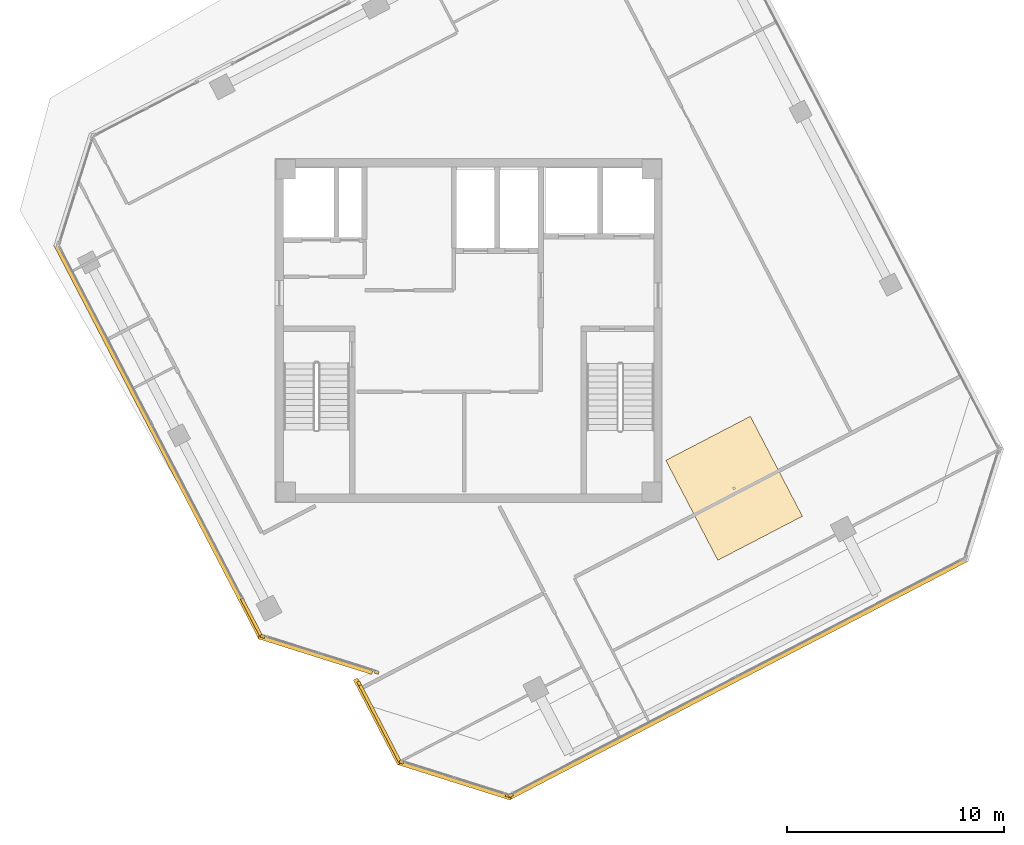
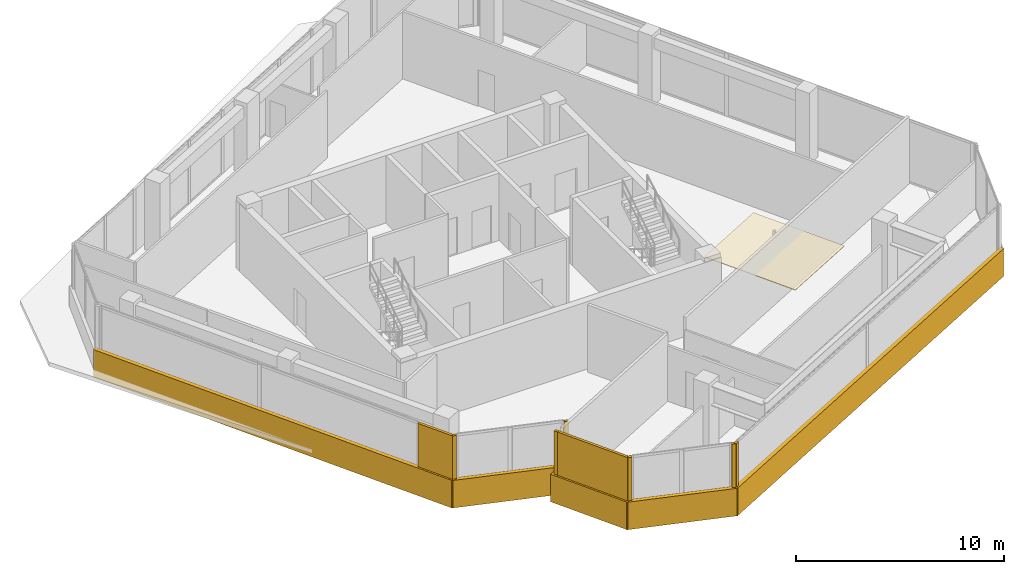
# One storey, part 14 of 16: 14 coverings.
"""IFC4 building model written with IfcOpenShell, lengths in metres."""

from ifc_helpers import new_model, si_unit, direction, frame, origin, origin_2d, place, context, subcontext, project, spatial, polyline, rectangle, outline, extrude, source, transform, mapped, material, layer, layer_set, type_object, element, save


model = new_model("IFC4")

# Units and contexts
model_context = context("Model", 3, precision=1e-05, world=origin(), true_north=direction((0.0, 1.0)))
body_context = subcontext(model_context, "Body", "Model", "MODEL_VIEW")
ifc_project = project(units=[si_unit("LENGTHUNIT", "METRE"), si_unit("AREAUNIT", "SQUARE_METRE"), si_unit("VOLUMEUNIT", "CUBIC_METRE"), si_unit("PLANEANGLEUNIT", "RADIAN"), si_unit("MASSUNIT", "GRAM", prefix="KILO")], contexts=[model_context])

# Site, building, storey
site_placement = place(None, origin())
site = spatial("IfcSite", under=ifc_project, at=site_placement, CompositionType="ELEMENT")
building_placement = place(site_placement, origin())
building = spatial("IfcBuilding", under=site, at=building_placement, Name="Torre Montelarca", CompositionType="ELEMENT")
storey_placement = place(building_placement, frame((0.0, 0.0, 328.199951171875)))
storey = spatial("IfcBuildingStorey", under=building, at=storey_placement, Name="L74", CompositionType="ELEMENT", Elevation=328.199951171875)

# Coverings
ifc_material_1 = material(Name="Perforated acoustic mineral fibre board", Category="gypsum")
ifc_layer_1 = layer(ifc_material_1, 0.0400390625, Name="Perforated acoustic mineral fibre board", Category="gypsum")
ifc_layer_set_1 = layer_set([ifc_layer_1], Name="Perforated acoustic mineral fibre board")
covering_type_1 = type_object("IfcCoveringType", Name="COV-CEIL-AC1", PredefinedType="CEILING", material=ifc_layer_set_1)
covering_1_placement = place(storey_placement, frame((0.0, 0.0, 2.719970703125)))
element("IfcCovering", 1, at=covering_1_placement, inside=storey, type_object=covering_type_1, Name="L74 Acoustic Suspended Ceiling 01", PredefinedType="CEILING", context=body_context, shape_type="SweptSolid", body=[
    extrude(outline(polyline([(27.09912109375, 26.008544921875), (29.500244140625, 21.39599609375), (33.4033203125, 23.427734375), (31.002197265625, 28.040283203125), (27.09912109375, 26.008544921875)])), origin(), (0.0, 0.0, 1.0), 0.0400390625),
])
ifc_material_2 = material(Name="Bush-hammered warm white precast concrete C45/55", Category="concrete")
ifc_layer_2 = layer(ifc_material_2, 0.139892578125, Name="Bush-hammered warm white precast concrete C45/55", Category="concrete")
ifc_layer_set_2 = layer_set([ifc_layer_2], Name="Bush-hammered warm white precast concrete C45/55")
covering_type_2 = type_object("IfcCoveringType", Name="COV-TRAY-CLAD", PredefinedType="CLADDING", material=ifc_layer_set_2)
shared_shape_1 = source(origin(), body_context, "Body", "SweptSolid", [
    extrude(rectangle(XDim=0.199951171875, YDim=0.139892578125, at=origin_2d()), origin(), (0.0, 0.0, 1.0), 3.719970703125),
])
for number, where, z_axis, x_axis, name in (
    (2, (8.495361328125, 17.881591796875, 0.0), (0.0, 0.0, 1.0), (0.953717475577, -0.300704134954, 0.0), "L74 Architectural Column Pier Cladding E02-1"),
    (3, (13.75048828125, 16.224609375, 0.0), (0.0, 0.0, 1.0), (0.953717475577, -0.300704134954, 0.0), "L74 Architectural Column Pier Cladding E02-2"),
    (4, (12.94189453125, 15.716552734375, 0.0), (0.0, 0.0, 1.0), (0.461776479274, -0.88699632648, 0.0), "L74 Architectural Column Pier Cladding E04-1"),
    (5, (14.896484375, 12.08203125, 0.0), (0.0, 0.0, 1.0), (0.953718525227, -0.30070080585, 0.0), "L74 Architectural Column Pier Cladding E05-1"),
    (6, (19.80078125, 10.535888671875, 0.0), (0.0, 0.0, 1.0), (0.953718525227, -0.30070080585, 0.0), "L74 Architectural Column Pier Cladding E05-2"),
    (7, (19.9453125, 10.54833984375, 0.0), (0.0, 0.0, 1.0), (0.88701163908, 0.461747065108, 0.0), "L74 Architectural Column Pier Cladding E06-1"),
):
    element("IfcCovering", number, at=place(storey_placement, frame(where, z_axis=z_axis, x_axis=x_axis)), inside=storey, type_object=covering_type_2, Name=name, PredefinedType="CLADDING", context=body_context, shape_type="MappedRepresentation", body=[
        mapped(shared_shape_1, transform((0.0, 0.0, 0.0), scale=1.0)),
    ])
shared_shape_2 = source(origin(), body_context, "Body", "SweptSolid", [
    extrude(rectangle(XDim=5.493896484375, YDim=0.219970703125, at=origin_2d()), origin(), (0.0, 0.0, 1.0), 1.6201171875),
])
for number, where, z_axis, x_axis, name in (
    (8, (10.929443359375, 17.05126953125, -0.449951171875), (0.0, 0.0, 1.0), (0.953716950748, -0.300705799504, 0.0), "L74 Architectural White Spandrel Tray Band TRYBOT-02"),
    (9, (17.330810546875, 11.251708984375, -0.449951171875), (0.0, 0.0, 1.0), (0.953716950748, -0.300705799504, 0.0), "L74 Architectural White Spandrel Tray Band TRYBOT-05"),
):
    element("IfcCovering", number, at=place(storey_placement, frame(where, z_axis=z_axis, x_axis=x_axis)), inside=storey, type_object=covering_type_2, Name=name, PredefinedType="CLADDING", context=body_context, shape_type="MappedRepresentation", body=[
        mapped(shared_shape_2, transform((0.0, 0.0, 0.0), scale=1.0)),
    ])
shared_shape_3 = source(origin(), body_context, "Body", "SweptSolid", [
    extrude(rectangle(XDim=4.09228515625, YDim=0.139892578125, at=origin_2d()), origin(), (0.0, 0.0, 1.0), 3.719970703125),
])
covering_2_placement = place(storey_placement, frame((13.88671875, 13.901611328125, 0.0), z_axis=(0.0, 0.0, 1.0), x_axis=(0.461776479274, -0.88699632648, 0.0)))
element("IfcCovering", 10, at=covering_2_placement, inside=storey, type_object=covering_type_2, Name="L74 Architectural Column Pier Cladding E04-2", PredefinedType="CLADDING", context=body_context, shape_type="MappedRepresentation", body=[
    mapped(shared_shape_3, transform((0.0, 0.0, 0.0), scale=1.0)),
])
shared_shape_4 = source(origin(), body_context, "Body", "SweptSolid", [
    extrude(rectangle(XDim=20.52001953125, YDim=0.219970703125, at=origin_2d()), origin(), (0.0, 0.0, 1.0), 1.6201171875),
])
covering_3_placement = place(storey_placement, frame((3.674560546875, 26.89208984375, -0.449951171875), z_axis=(0.0, 0.0, 1.0), x_axis=(0.46175016136, -0.887010027274, 0.0)))
element("IfcCovering", 11, at=covering_3_placement, inside=storey, type_object=covering_type_2, Name="L74 Architectural White Spandrel Tray Band TRYBOT-01", PredefinedType="CLADDING", context=body_context, shape_type="MappedRepresentation", body=[
    mapped(shared_shape_4, transform((0.0, 0.0, 0.0), scale=1.0)),
])
shared_shape_5 = source(origin(), body_context, "Body", "SweptSolid", [
    extrude(rectangle(XDim=4.419921875, YDim=0.219970703125, at=origin_2d()), origin(), (0.0, 0.0, 1.0), 1.6201171875),
])
covering_4_placement = place(storey_placement, frame((13.792724609375, 13.951904296875, -0.449951171875), z_axis=(0.0, 0.0, 1.0), x_axis=(0.461767190645, -0.887001162143, 0.0)))
element("IfcCovering", 12, at=covering_4_placement, inside=storey, type_object=covering_type_2, Name="L74 Architectural White Spandrel Tray Band TRYBOT-04", PredefinedType="CLADDING", context=body_context, shape_type="MappedRepresentation", body=[
    mapped(shared_shape_5, transform((0.0, 0.0, 0.0), scale=1.0)),
])
shared_shape_6 = source(origin(), body_context, "Body", "SweptSolid", [
    extrude(rectangle(XDim=23.919921875, YDim=0.219970703125, at=origin_2d()), origin(), (0.0, 0.0, 1.0), 1.6201171875),
])
covering_5_placement = place(storey_placement, frame((30.42578125, 15.9365234375, -0.449951171875), z_axis=(0.0, 0.0, 1.0), x_axis=(0.887010833178, 0.461748613235, 0.0)))
element("IfcCovering", 13, at=covering_5_placement, inside=storey, type_object=covering_type_2, Name="L74 Architectural White Spandrel Tray Band TRYBOT-06", PredefinedType="CLADDING", context=body_context, shape_type="MappedRepresentation", body=[
    mapped(shared_shape_6, transform((0.0, 0.0, 0.0), scale=1.0)),
])
shared_shape_7 = source(origin(), body_context, "Body", "SweptSolid", [
    extrude(rectangle(XDim=1.964111328125, YDim=0.139892578125, at=origin_2d()), origin(), (0.0, 0.0, 1.0), 3.719970703125),
])
covering_6_placement = place(storey_placement, frame((7.976806640625, 18.75732421875, 0.0), z_axis=(0.0, 0.0, 1.0), x_axis=(0.461748613235, -0.887010833178, 0.0)))
element("IfcCovering", 14, at=covering_6_placement, inside=storey, type_object=covering_type_2, Name="L74 Architectural Column Pier Cladding E01-2", PredefinedType="CLADDING", context=body_context, shape_type="MappedRepresentation", body=[
    mapped(shared_shape_7, transform((0.0, 0.0, 0.0), scale=1.0)),
])

save(model, "model.ifc")
